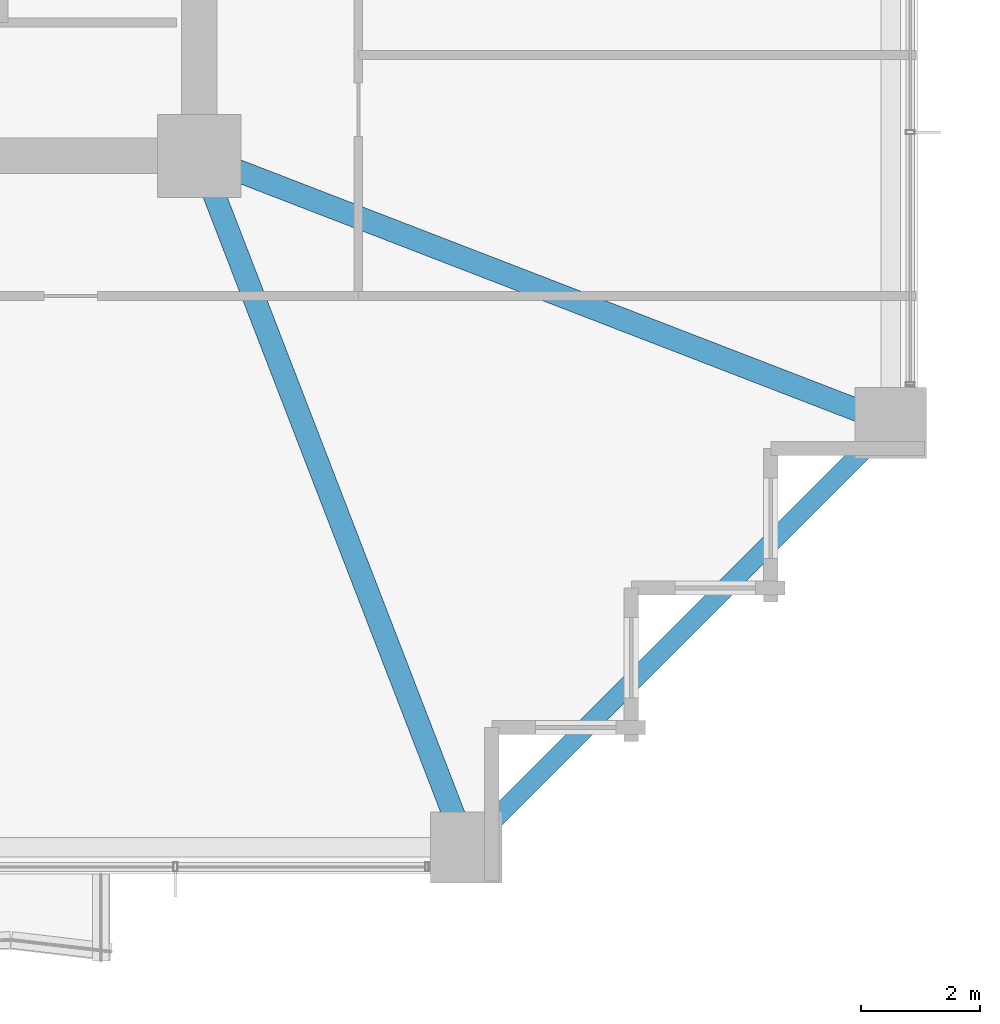
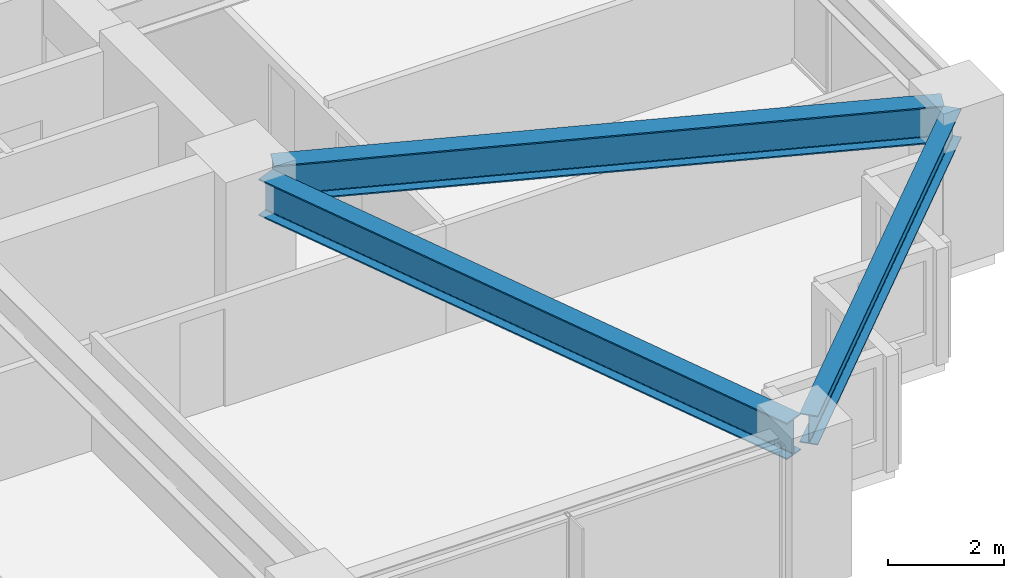
# One storey, part 11 of 38: 3 beams.
"""IFC4 building model written with IfcOpenShell, lengths in metres."""

from ifc_helpers import new_model, si_unit, direction, frame, origin, origin_2d, place, context, subcontext, project, spatial, i_section, extrude, material, material_profile, profile_set, type_object, element, save


model = new_model("IFC4")

# Units and contexts
model_context = context("Model", 3, precision=1e-05, world=origin(), true_north=direction((0.0, 1.0)))
body_context = subcontext(model_context, "Body", "Model", "MODEL_VIEW")
ifc_project = project(units=[si_unit("LENGTHUNIT", "METRE"), si_unit("AREAUNIT", "SQUARE_METRE"), si_unit("VOLUMEUNIT", "CUBIC_METRE"), si_unit("PLANEANGLEUNIT", "RADIAN"), si_unit("MASSUNIT", "GRAM", prefix="KILO")], contexts=[model_context])

# Site, building, storey
site_placement = place(None, origin())
site = spatial("IfcSite", under=ifc_project, at=site_placement, CompositionType="ELEMENT")
building_placement = place(site_placement, origin())
building = spatial("IfcBuilding", under=site, at=building_placement, Name="Kolvaren Belvedere", CompositionType="ELEMENT")
storey_placement = place(building_placement, frame((0.0, 0.0, 50.199951171875)))
storey = spatial("IfcBuildingStorey", under=building, at=storey_placement, Name="L14", CompositionType="ELEMENT", Elevation=50.199951171875)

# Beams
ifc_material_1 = material(Name="Structural steel ASTM A992 Grade 50", Category="steel")
ifc_material_profile_1 = material_profile(ifc_material_1, i_section(OverallWidth=0.381103515625, OverallDepth=0.77294921875, WebThickness=0.0166015625, FlangeThickness=0.027099609375, FilletRadius=0.02392578125, at=origin_2d()), Name="W30X173")
ifc_profile_set_1 = profile_set([ifc_material_profile_1], Name="Structural steel ASTM A992 Grade 50")
beam_type_1 = type_object("IfcBeamType", Name="BM-GIRD-W30X173", PredefinedType="BEAM", material=ifc_profile_set_1)
for number, where, z_axis, x_axis, name in (
    (1, (10.09814453125, -10.4130859375, 2.673583984375), (0.360318391835, -0.932829382313, 0.0), (0.932829382313, 0.360318391835, 0.0), "L14 Corner Core-to-Perimeter Girder CC2-S4"),
    (2, (10.4130859375, -10.09814453125, 2.673583984375), (0.932829382313, -0.360318391835, 0.0), (0.360318391835, 0.932829382313, 0.0), "L14 Corner Core-to-Perimeter Girder CC2-E1"),
):
    element("IfcBeam", number, at=place(storey_placement, frame(where, z_axis=z_axis, x_axis=x_axis)), inside=storey, type_object=beam_type_1, Name=name, PredefinedType="BEAM", context=body_context, shape_type="SweptSolid", body=[
        extrude(i_section(OverallWidth=0.381103515625, OverallDepth=0.77294921875, WebThickness=0.0166015625, FlangeThickness=0.027099609375, FilletRadius=0.02392578125, at=origin_2d()), origin(), (0.0, 0.0, 1.0), 11.698974609375),
    ])
ifc_material_2 = material(Name="Structural steel ASTM A992 Grade 50", Category="steel")
ifc_material_profile_2 = material_profile(ifc_material_2, i_section(OverallWidth=0.324951171875, OverallDepth=0.615966796875, WebThickness=0.013916015625, FlangeThickness=0.021484375, FilletRadius=0.02001953125, at=origin_2d()), Name="W24X117")
ifc_profile_set_2 = profile_set([ifc_material_profile_2], Name="Structural steel ASTM A992 Grade 50")
beam_type_2 = type_object("IfcBeamType", Name="BM-SPAN-W24X117", PredefinedType="SPANDREL", material=ifc_profile_set_2)
beam_placement = place(storey_placement, frame((14.5908203125, -21.359130859375, 2.751953125), z_axis=(0.707106781187, 0.707106781187, 0.0), x_axis=(-0.707106781187, 0.707106781187, 0.0)))
element("IfcBeam", 3, at=beam_placement, inside=storey, type_object=beam_type_2, Name="L14 Perimeter Spandrel S4-E1", PredefinedType="SPANDREL", context=body_context, shape_type="SweptSolid", body=[
    extrude(i_section(OverallWidth=0.324951171875, OverallDepth=0.615966796875, WebThickness=0.013916015625, FlangeThickness=0.021484375, FilletRadius=0.02001953125, at=origin_2d()), origin(), (0.0, 0.0, 1.0), 9.57177734375),
])

save(model, "model.ifc")
